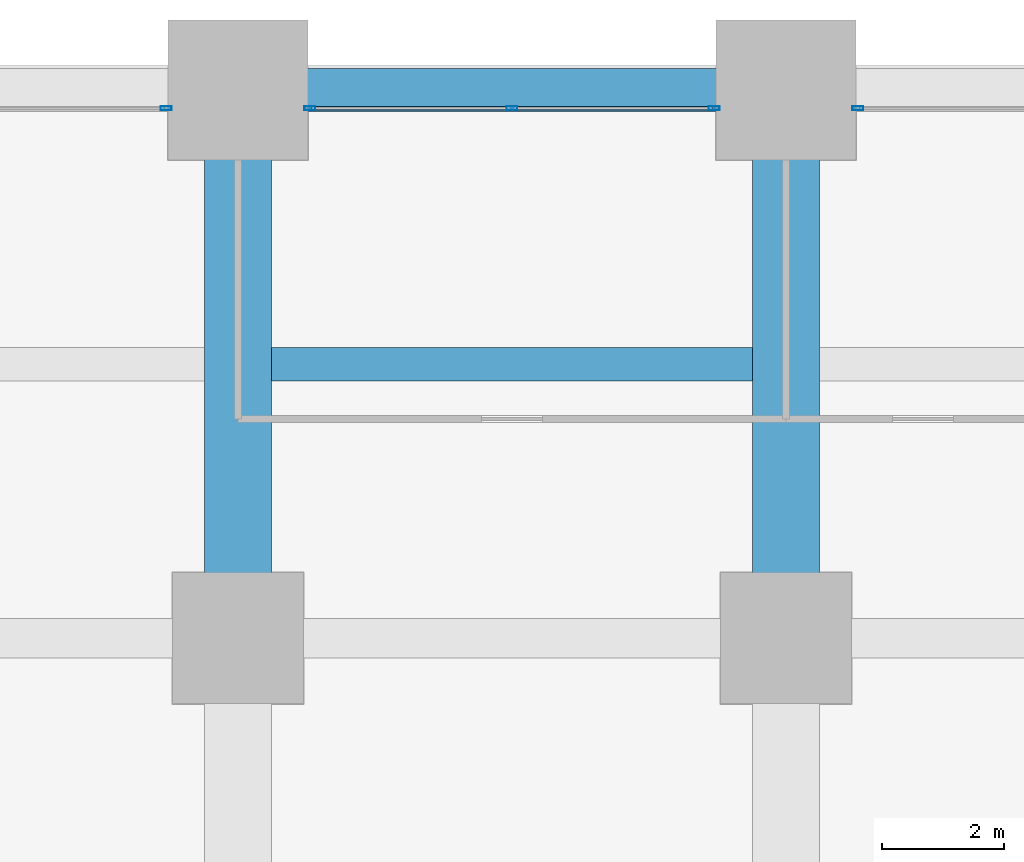
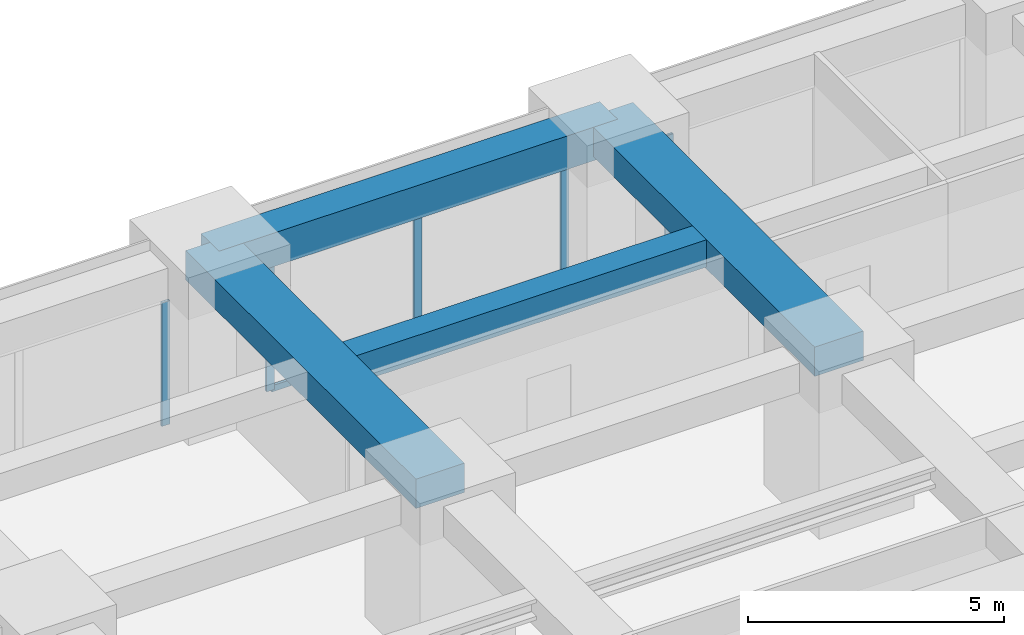
# One storey, part 35 of 44: 6 members, 4 beams, 3 elements without a shape of their own.
"""IFC4 building model written with IfcOpenShell, lengths in metres."""

from ifc_helpers import new_model, si_unit, direction, frame, origin, origin_2d, place, context, subcontext, project, spatial, rectangle, hollow_rectangle, extrude, material, material_profile, profile_set, type_object, element, aggregate, save


model = new_model("IFC4")

# Units and contexts
model_context = context("Model", 3, precision=1e-05, world=origin(), true_north=direction((0.0, 1.0)))
body_context = subcontext(model_context, "Body", "Model", "MODEL_VIEW")
ifc_project = project(units=[si_unit("LENGTHUNIT", "METRE"), si_unit("AREAUNIT", "SQUARE_METRE"), si_unit("VOLUMEUNIT", "CUBIC_METRE"), si_unit("PLANEANGLEUNIT", "RADIAN"), si_unit("MASSUNIT", "GRAM", prefix="KILO")], contexts=[model_context])

# Site, building, storey
site_placement = place(None, origin())
site = spatial("IfcSite", under=ifc_project, at=site_placement, CompositionType="ELEMENT")
building_placement = place(site_placement, origin())
building = spatial("IfcBuilding", under=site, at=building_placement, Name="Zorevar Civic Tower", CompositionType="ELEMENT")
storey_placement = place(building_placement, frame((0.0, 0.0, 51.800048828125)))
storey = spatial("IfcBuildingStorey", under=building, at=storey_placement, Name="L12", CompositionType="ELEMENT", Elevation=51.800048828125)

# Beams
ifc_material_1 = material(Name="Concrete C50/60", Category="concrete")
ifc_material_profile_1 = material_profile(ifc_material_1, rectangle(XDim=1.10009765625, YDim=0.699951171875, at=origin_2d()), Name="RC 1100x700")
ifc_profile_set_1 = profile_set([ifc_material_profile_1], Name="Concrete C50/60")
beam_type_1 = type_object("IfcBeamType", Name="Beam RC 1100x700", PredefinedType="BEAM", material=ifc_profile_set_1)
for number, where, z_axis, x_axis, name in (
    (1, (36.0, 45.0, 3.39990234375), (0.0, 1.0, 0.0), (-1.0, 0.0, 0.0), "Girder L13"),
    (2, (45.0, 45.0, 3.39990234375), (0.0, 1.0, 0.0), (-1.0, 0.0, 0.0), "Girder L13"),
):
    element("IfcBeam", number, at=place(storey_placement, frame(where, z_axis=z_axis, x_axis=x_axis)), inside=storey, type_object=beam_type_1, Name=name, PredefinedType="BEAM", context=body_context, shape_type="SweptSolid", body=[
        extrude(rectangle(XDim=1.10009765625, YDim=0.699951171875, at=origin_2d()), origin(), (0.0, 0.0, 1.0), 9.0),
    ])
ifc_material_2 = material(Name="Concrete C50/60", Category="concrete")
ifc_material_profile_2 = material_profile(ifc_material_2, rectangle(XDim=0.550048828125, YDim=0.64990234375, at=origin_2d()), Name="RC 550x650")
ifc_profile_set_2 = profile_set([ifc_material_profile_2], Name="Concrete C50/60")
beam_type_2 = type_object("IfcBeamType", Name="Beam RC 550x650", PredefinedType="BEAM", material=ifc_profile_set_2)
beam_1_placement = place(storey_placement, frame((36.550048828125, 49.5, 3.425048828125), z_axis=(1.0, 0.0, 0.0), x_axis=(0.0, 1.0, 0.0)))
element("IfcBeam", 3, at=beam_1_placement, inside=storey, type_object=beam_type_2, Name="Secondary beam L13", PredefinedType="BEAM", context=body_context, shape_type="SweptSolid", body=[
    extrude(rectangle(XDim=0.550048828125, YDim=0.64990234375, at=origin_2d()), origin(), (0.0, 0.0, 1.0), 7.89990234375),
])

# Curtain wall, member
ifc_material_3 = material(Name="Dark grey solar-control glass in black aluminium frame", Category="aluminium")
curtain_wall_type = type_object("IfcCurtainWallType", Name="Curtain wall CW2 low zone", PredefinedType="NOTDEFINED", material=ifc_material_3)
curtain_wall_1_placement = place(storey_placement, origin())
curtain_wall_1 = element("IfcCurtainWall", 4, at=curtain_wall_1_placement, inside=storey, type_object=curtain_wall_type, Name="CW2 L12", PredefinedType="NOTDEFINED")
ifc_material_4 = material(Name="Aluminium, black anodised", Category="aluminium")
ifc_material_profile_3 = material_profile(ifc_material_4, hollow_rectangle(XDim=0.06005859375, YDim=0.179931640625, WallThickness=0.00390625, at=origin_2d()), Name="AL 180x60x4")
ifc_profile_set_3 = profile_set([ifc_material_profile_3], Name="Aluminium, black anodised")
member_type_1 = type_object("IfcMemberType", Name="CW2 mullion AL 180x60x4", PredefinedType="MULLION", material=ifc_profile_set_3)
member_1_placement = place(storey_placement, frame((34.820068359375, 53.699951171875, 0.0), z_axis=(0.0, 0.0, 1.0), x_axis=(0.0, 1.0, 0.0)))
member_1 = element("IfcMember", 5, at=member_1_placement, type_object=member_type_1, Name="CW2 mullion 3", PredefinedType="MULLION", context=body_context, shape_type="SweptSolid", body=[
    extrude(hollow_rectangle(XDim=0.06005859375, YDim=0.179931640625, WallThickness=0.00390625, at=origin_2d()), origin(), (0.0, 0.0, 1.0), 2.949951171875),
])
aggregate(curtain_wall_1, [member_1])

# Curtain wall, members
curtain_wall_2_placement = place(storey_placement, origin())
curtain_wall_2 = element("IfcCurtainWall", 6, at=curtain_wall_2_placement, inside=storey, type_object=curtain_wall_type, Name="CW2 L12", PredefinedType="NOTDEFINED")
member_2_placement = place(storey_placement, frame((37.179931640625, 53.699951171875, 0.0), z_axis=(0.0, 0.0, 1.0), x_axis=(0.0, 1.0, 0.0)))
member_2 = element("IfcMember", 7, at=member_2_placement, type_object=member_type_1, Name="CW2 mullion 1", PredefinedType="MULLION", context=body_context, shape_type="SweptSolid", body=[
    extrude(hollow_rectangle(XDim=0.06005859375, YDim=0.179931640625, WallThickness=0.00390625, at=origin_2d()), origin(), (0.0, 0.0, 1.0), 2.949951171875),
])
member_3_placement = place(storey_placement, frame((40.5, 53.699951171875, 0.06005859375), z_axis=(0.0, 0.0, 1.0), x_axis=(0.0, 1.0, 0.0)))
member_3 = element("IfcMember", 8, at=member_3_placement, type_object=member_type_1, Name="CW2 mullion 2", PredefinedType="MULLION", context=body_context, shape_type="SweptSolid", body=[
    extrude(hollow_rectangle(XDim=0.06005859375, YDim=0.179931640625, WallThickness=0.00390625, at=origin_2d()), origin(), (0.0, 0.0, 1.0), 2.889892578125),
])
member_4_placement = place(storey_placement, frame((43.820068359375, 53.699951171875, 0.0), z_axis=(0.0, 0.0, 1.0), x_axis=(0.0, 1.0, 0.0)))
member_4 = element("IfcMember", 9, at=member_4_placement, type_object=member_type_1, Name="CW2 mullion 3", PredefinedType="MULLION", context=body_context, shape_type="SweptSolid", body=[
    extrude(hollow_rectangle(XDim=0.06005859375, YDim=0.179931640625, WallThickness=0.00390625, at=origin_2d()), origin(), (0.0, 0.0, 1.0), 2.949951171875),
])

# Curtain wall, member
curtain_wall_3_placement = place(storey_placement, origin())
curtain_wall_3 = element("IfcCurtainWall", 10, at=curtain_wall_3_placement, inside=storey, type_object=curtain_wall_type, Name="CW2 L12", PredefinedType="NOTDEFINED")
member_5_placement = place(storey_placement, frame((46.179931640625, 53.699951171875, 0.0), z_axis=(0.0, 0.0, 1.0), x_axis=(0.0, 1.0, 0.0)))
member_5 = element("IfcMember", 11, at=member_5_placement, type_object=member_type_1, Name="CW2 mullion 1", PredefinedType="MULLION", context=body_context, shape_type="SweptSolid", body=[
    extrude(hollow_rectangle(XDim=0.06005859375, YDim=0.179931640625, WallThickness=0.00390625, at=origin_2d()), origin(), (0.0, 0.0, 1.0), 2.949951171875),
])
aggregate(curtain_wall_3, [member_5])

# Member
ifc_material_5 = material(Name="Aluminium, black anodised", Category="aluminium")
ifc_material_profile_4 = material_profile(ifc_material_5, hollow_rectangle(XDim=0.06005859375, YDim=0.14990234375, WallThickness=0.00390625, at=origin_2d()), Name="AL 150x60x4")
ifc_profile_set_4 = profile_set([ifc_material_profile_4], Name="Aluminium, black anodised")
member_type_2 = type_object("IfcMemberType", Name="CW2 transom AL 150x60x4", PredefinedType="USERDEFINED", material=ifc_profile_set_4)
member_6_placement = place(storey_placement, frame((37.2099609375, 53.699951171875, 0.030029296875), z_axis=(1.0, 0.0, 0.0), x_axis=(0.0, 1.0, 0.0)))
member_6 = element("IfcMember", 12, at=member_6_placement, type_object=member_type_2, Name="CW2 sill transom", ObjectType="TRANSOM", PredefinedType="USERDEFINED", context=body_context, shape_type="SweptSolid", body=[
    extrude(hollow_rectangle(XDim=0.06005859375, YDim=0.14990234375, WallThickness=0.00390625, at=origin_2d()), origin(), (0.0, 0.0, 1.0), 6.580078125),
])

aggregate(curtain_wall_2, [member_2, member_3, member_4, member_6])

# Beam
ifc_material_6 = material(Name="Concrete C50/60", Category="concrete")
ifc_material_profile_5 = material_profile(ifc_material_6, rectangle(XDim=0.699951171875, YDim=0.800048828125, at=origin_2d()), Name="RC 700x800")
ifc_profile_set_5 = profile_set([ifc_material_profile_5], Name="Concrete C50/60")
beam_type_3 = type_object("IfcBeamType", Name="Edge beam RC 700x800", PredefinedType="SPANDREL", material=ifc_profile_set_5)
beam_2_placement = place(storey_placement, frame((36.0, 54.0, 3.349853515625), z_axis=(1.0, 0.0, 0.0), x_axis=(0.0, 1.0, 0.0)))
element("IfcBeam", 13, at=beam_2_placement, inside=storey, type_object=beam_type_3, Name="Edge beam L13", PredefinedType="SPANDREL", context=body_context, shape_type="SweptSolid", body=[
    extrude(rectangle(XDim=0.699951171875, YDim=0.800048828125, at=origin_2d()), origin(), (0.0, 0.0, 1.0), 9.0),
])

save(model, "model.ifc")
